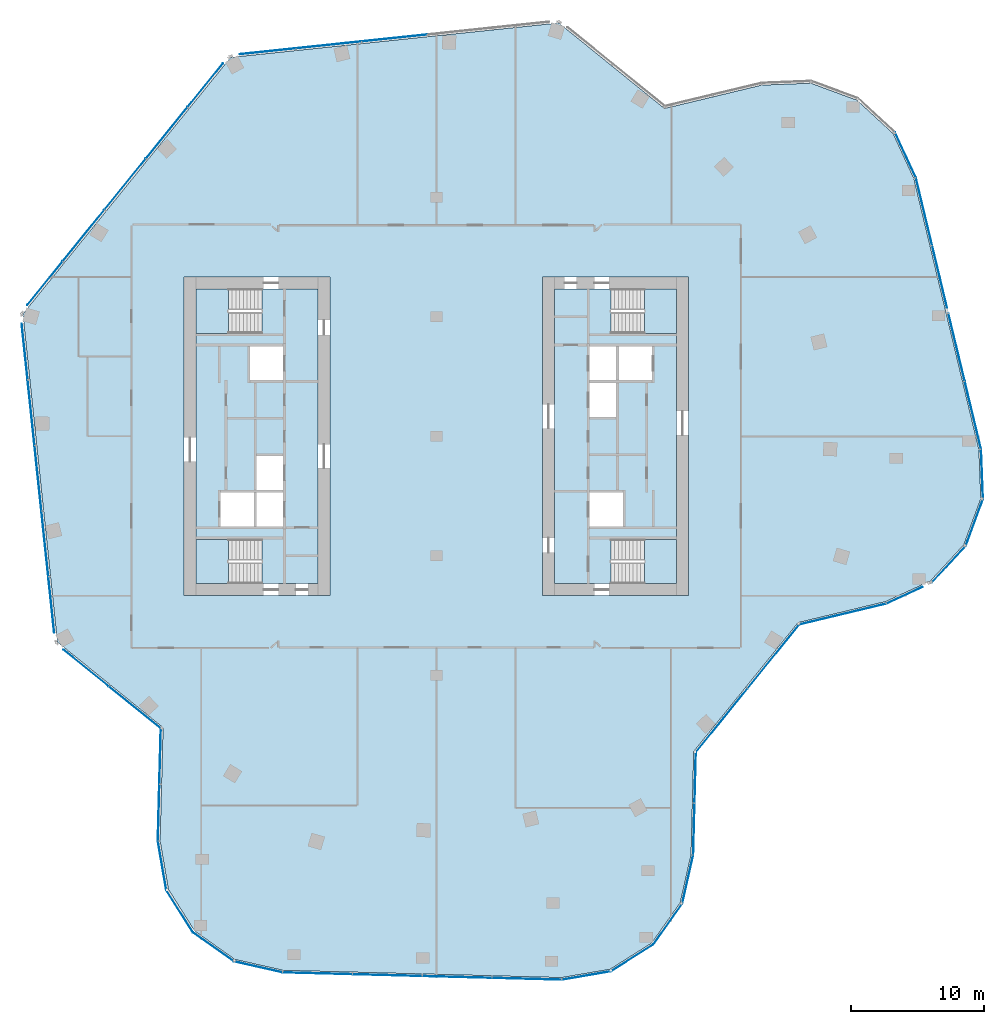
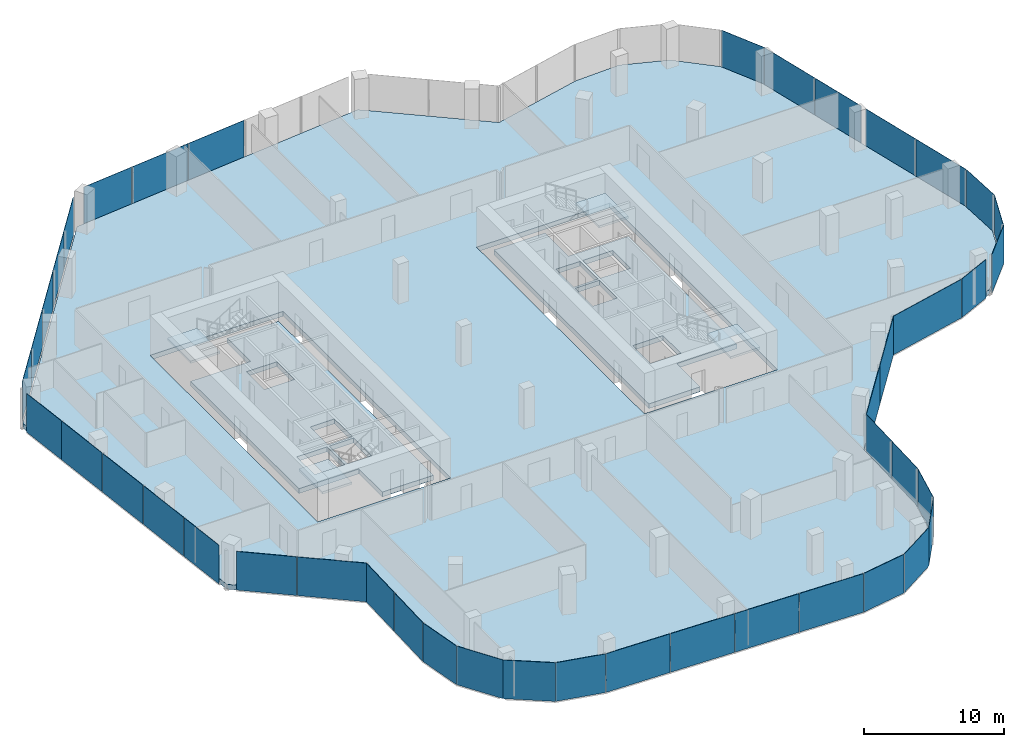
# One storey, part 16 of 23: 43 plates, 7 slabs, 27 elements without a shape of their own.
"""IFC4 building model written with IfcOpenShell, lengths in metres."""

import ifcopenshell
import ifcopenshell.guid

model = None  # the IFC model being written
_history = None  # IfcOwnerHistory: only IFC2X3 demands one
_inside = {}  # id of a spatial element -> (the spatial element, [elements in it])
_under = {}  # id of a project, library or spatial element -> (it, [spatial elements below it])
_declared = {}  # id of a project -> (the project, [libraries it declares])
_typed = {}  # id of a type object -> (the type object, [elements of that type])
_made_of = {}  # id of a material, layer set ... -> (it, [elements and type objects made of it])


def new_model(schema):
    """Start an empty IFC model of exactly this schema.

    Asked for "IFC4X3", IfcOpenShell would pick the latest addendum, in which some entities
    have other attributes; the version numbers below select the first issue.
    IFC2X3 requires an IfcOwnerHistory on every rooted entity: one is made here for all.
    """
    global model, _history
    if schema == "IFC4X3":
        model = ifcopenshell.file(schema_version=(4, 3, 0, 0))
    else:
        model = ifcopenshell.file(schema=schema)
    _inside.clear()
    _under.clear()
    _declared.clear()
    _typed.clear()
    _made_of.clear()
    _history = None
    if model.schema == "IFC2X3":
        org = make("IfcOrganization", Name="unknown")
        user = make(
            "IfcPersonAndOrganization",
            ThePerson=make("IfcPerson", FamilyName="unknown"),
            TheOrganization=org,
        )
        app = make(
            "IfcApplication",
            ApplicationDeveloper=org,
            Version="unknown",
            ApplicationFullName="unknown",
            ApplicationIdentifier="unknown",
        )
        _history = make(
            "IfcOwnerHistory",
            OwningUser=user,
            OwningApplication=app,
            ChangeAction="ADDED",
            CreationDate=0,
        )
    return model


def make(cls, **values):
    """One entity of the class cls with the attributes given. An attribute that is None is left unset."""
    return model.create_entity(
        cls, **{name: value for name, value in values.items() if value is not None}
    )


def rooted(cls, **values):
    """An entity with a GlobalId (a new one), such as an element, a storey or a relation."""
    return make(cls, GlobalId=ifcopenshell.guid.new(), OwnerHistory=_history, **values)


def si_unit(unit_type, name, prefix=None):
    """IfcSIUnit, for example si_unit("LENGTHUNIT", "METRE", prefix="MILLI")."""
    return make("IfcSIUnit", UnitType=unit_type, Prefix=prefix, Name=name)


def assignment(units):
    """IfcUnitAssignment: the units of a project."""
    return None if units is None else make("IfcUnitAssignment", Units=units)


def point(xyz):
    """IfcCartesianPoint."""
    return None if xyz is None else make("IfcCartesianPoint", Coordinates=xyz)


def direction(xyz):
    """IfcDirection."""
    return None if xyz is None else make("IfcDirection", DirectionRatios=xyz)


def frame(location, z_axis=None, x_axis=None):
    """IfcAxis2Placement3D, a coordinate frame: its origin and axes. An axis left out is left unset."""
    return make(
        "IfcAxis2Placement3D",
        Location=point(location),
        Axis=direction(z_axis),
        RefDirection=direction(x_axis),
    )


def frame_2d(location, x_axis=None):
    """IfcAxis2Placement2D, a coordinate frame in the plane: its origin and x axis."""
    return make(
        "IfcAxis2Placement2D", Location=point(location), RefDirection=direction(x_axis)
    )


def origin():
    """The frame at (0, 0, 0) with its axes left unset."""
    return frame((0.0, 0.0, 0.0))


def origin_2d():
    """The frame at (0, 0) in the plane with its x axis left unset."""
    return frame_2d((0.0, 0.0))


def place(relative_to, where):
    """IfcLocalPlacement: puts the frame where relative to a parent placement (None: the world)."""
    return make(
        "IfcLocalPlacement", PlacementRelTo=relative_to, RelativePlacement=where
    )


def context(
    kind, dimensions, precision=None, world=None, true_north=None, identifier=None
):
    """IfcGeometricRepresentationContext, for example the 3D "Model" context."""
    return make(
        "IfcGeometricRepresentationContext",
        ContextIdentifier=identifier,
        ContextType=kind,
        CoordinateSpaceDimension=dimensions,
        Precision=precision,
        WorldCoordinateSystem=world,
        TrueNorth=true_north,
    )


def subcontext(parent, identifier, kind, view, scale=None):
    """IfcGeometricRepresentationSubContext, for example "Body" below "Model"."""
    return make(
        "IfcGeometricRepresentationSubContext",
        ContextIdentifier=identifier,
        ContextType=kind,
        ParentContext=parent,
        TargetScale=scale,
        TargetView=view,
    )


def project(units=None, contexts=None):
    """IfcProject with its units and contexts."""
    return rooted(
        "IfcProject",
        Name="project",
        RepresentationContexts=contexts,
        UnitsInContext=assignment(units),
    )


def spatial(cls, under=None, at=None, **own):
    """A site, building, storey or space (cls), placed at a placement, below another one or the project."""
    s = rooted(cls, ObjectPlacement=at, **own)
    if under is not None:
        _under.setdefault(under.id(), (under, []))[1].append(s)
    return s


def polyline(points):
    """IfcPolyline through the points."""
    return make("IfcPolyline", Points=[point(p) for p in points])


def profile(cls, at=None, kind="AREA", **sizes):
    """A parametric profile (cls). Its sizes go by their IFC names, for example OverallWidth=200.0."""
    return make(cls, ProfileType=kind, Position=at, **sizes)


def rectangle(**sizes):
    """IfcRectangleProfileDef."""
    return profile("IfcRectangleProfileDef", **sizes)


def outline(outer, holes=None, kind="AREA"):
    """IfcArbitraryClosedProfileDef: a profile drawn as a closed curve; with holes, ...WithVoids."""
    if holes is None:
        return make("IfcArbitraryClosedProfileDef", ProfileType=kind, OuterCurve=outer)
    return make(
        "IfcArbitraryProfileDefWithVoids",
        ProfileType=kind,
        OuterCurve=outer,
        InnerCurves=holes,
    )


def extrude(swept, where, along, depth):
    """IfcExtrudedAreaSolid: the profile swept, set in the frame where, extruded along a direction by depth."""
    return make(
        "IfcExtrudedAreaSolid",
        SweptArea=swept,
        Position=where,
        ExtrudedDirection=direction(along),
        Depth=depth,
    )


def shape(context_of_items, identifier, shape_type, items):
    """IfcShapeRepresentation: the items that make up one representation, for example the "Body"."""
    return make(
        "IfcShapeRepresentation",
        ContextOfItems=context_of_items,
        RepresentationIdentifier=identifier,
        RepresentationType=shape_type,
        Items=items,
    )


def material(Name=None, Category=None):
    """IfcMaterial."""
    return make("IfcMaterial", Name=Name, Category=Category)


def layer(
    of_material, thickness, ventilated=None, Name=None, Category=None, Priority=None
):
    """IfcMaterialLayer: one layer of a wall or slab, of a material (None: an air gap)."""
    return make(
        "IfcMaterialLayer",
        Material=of_material,
        LayerThickness=thickness,
        IsVentilated=ventilated,
        Name=Name,
        Category=Category,
        Priority=Priority,
    )


def layer_set(layers, Name=None):
    """IfcMaterialLayerSet."""
    return make("IfcMaterialLayerSet", MaterialLayers=layers, LayerSetName=Name)


def made_of(thing, what):
    """Note that an element or type object is made of a material, layer set ...; save() writes the relation."""
    if what is not None:
        _made_of.setdefault(what.id(), (what, []))[1].append(thing)
    return thing


def type_object(cls, material=None, **own):
    """A type object (cls), such as IfcWallType, which elements share."""
    return made_of(rooted(cls, **own), material)


def element(
    cls,
    number,
    at=None,
    inside=None,
    cuts=None,
    type_object=None,
    material=None,
    context=None,
    identifier="Body",
    shape_type=None,
    held_by="IfcProductDefinitionShape",
    body=None,
    shapes=None,
    **own,
):
    """One element of the class cls, such as IfcWall. Its Tag is "e" and its number.

    at: its placement. inside: the storey or other place that contains it. cuts: it is an
    opening in that element (IfcRelVoidsElement). A single representation is given by context,
    identifier, shape_type and body (its items); several are given by shapes. held_by: the class
    of the entity that holds the representations. save() writes the other relations.
    """
    e = rooted(cls, Tag="e%d" % number, ObjectPlacement=at, **own)
    if body is not None:
        shapes = [shape(context, identifier, shape_type, body)]
    if shapes is not None:
        e.Representation = make(held_by, Representations=shapes)
    if inside is not None:
        _inside.setdefault(inside.id(), (inside, []))[1].append(e)
    if cuts is not None:
        rooted(
            "IfcRelVoidsElement", RelatingBuildingElement=cuts, RelatedOpeningElement=e
        )
    if type_object is not None:
        _typed.setdefault(type_object.id(), (type_object, []))[1].append(e)
    return made_of(e, material)


def aggregate(whole, parts):
    """IfcRelAggregates: a whole, such as a stair, and the parts it consists of."""
    return rooted("IfcRelAggregates", RelatingObject=whole, RelatedObjects=parts)


def save(model, path):
    """Write the relations noted so far, then the file.

    IfcRelAggregates (storeys below a building ...), IfcRelContainedInSpatialStructure (elements
    in a storey), IfcRelDefinesByType, IfcRelAssociatesMaterial and IfcRelDeclares: one each for
    every whole, place, type object, material and project.
    """
    for whole, parts in _under.values():
        aggregate(whole, parts)
    for where, things in _inside.values():
        rooted(
            "IfcRelContainedInSpatialStructure",
            RelatedElements=things,
            RelatingStructure=where,
        )
    for kind, things in _typed.values():
        rooted("IfcRelDefinesByType", RelatedObjects=things, RelatingType=kind)
    for what, things in _made_of.values():
        rooted("IfcRelAssociatesMaterial", RelatedObjects=things, RelatingMaterial=what)
    for by, libraries in _declared.values():
        rooted("IfcRelDeclares", RelatingContext=by, RelatedDefinitions=libraries)
    model.write(path)


model = new_model("IFC4")

# Units and contexts
model_context = context("Model", 3, precision=1e-05, world=origin(), true_north=direction((0.0, 1.0)))
body_context = subcontext(model_context, "Body", "Model", "MODEL_VIEW")
ifc_project = project(units=[si_unit("LENGTHUNIT", "METRE"), si_unit("AREAUNIT", "SQUARE_METRE"), si_unit("VOLUMEUNIT", "CUBIC_METRE"), si_unit("PLANEANGLEUNIT", "RADIAN"), si_unit("MASSUNIT", "GRAM", prefix="KILO")], contexts=[model_context])

# Site, building, storey
site_placement = place(None, origin())
site = spatial("IfcSite", under=ifc_project, at=site_placement, CompositionType="ELEMENT")
building_placement = place(site_placement, origin())
building = spatial("IfcBuilding", under=site, at=building_placement, Name="Orlundy Tower", CompositionType="ELEMENT")
storey_placement = place(building_placement, frame((0.0, 0.0, 221.0)))
storey = spatial("IfcBuildingStorey", under=building, at=storey_placement, Name="L58", CompositionType="ELEMENT", Elevation=221.0)

# Curtain wall, plates
ifc_material_1 = material(Name="Aluminium bronze anodised", Category="aluminium")
curtain_wall_type = type_object("IfcCurtainWallType", Name="CW1 wall", PredefinedType="NOTDEFINED", material=ifc_material_1)
curtain_wall_1_placement = place(storey_placement, origin())
curtain_wall_1 = element("IfcCurtainWall", 1, at=curtain_wall_1_placement, inside=storey, type_object=curtain_wall_type, Name="CW1 run 00", PredefinedType="NOTDEFINED")
ifc_material_2 = material(Name="Tinted glass", Category="glass")
ifc_layer_1 = layer(ifc_material_2, 0.031982421875)
ifc_layer_set_1 = layer_set([ifc_layer_1], Name="CW1 glass panel 32")
plate_type = type_object("IfcPlateType", Name="CW1 glass panel 32", PredefinedType="CURTAIN_PANEL", material=ifc_layer_set_1)
plate_1_placement = place(storey_placement, frame((-20.9130859375, -28.337158203125, -0.300048828125), z_axis=(0.0, 0.0, 1.0), x_axis=(0.026251208042, 0.999655377656, 0.0)))
plate_1 = element("IfcPlate", 2, at=plate_1_placement, type_object=plate_type, Name="CW1 panel", PredefinedType="CURTAIN_PANEL", context=body_context, shape_type="SweptSolid", body=[
    extrude(rectangle(XDim=4.232421875, YDim=0.031982421875, at=origin_2d()), origin(), (0.0, 0.0, 1.0), 3.3798828125),
])
plate_2_placement = place(storey_placement, frame((-20.8017578125, -24.092041015625, -0.300048828125), z_axis=(0.0, 0.0, 1.0), x_axis=(0.026251208042, 0.999655377656, 0.0)))
plate_2 = element("IfcPlate", 3, at=plate_2_placement, type_object=plate_type, Name="CW1 panel", PredefinedType="CURTAIN_PANEL", context=body_context, shape_type="SweptSolid", body=[
    extrude(rectangle(XDim=4.16064453125, YDim=0.031982421875, at=origin_2d()), origin(), (0.0, 0.0, 1.0), 3.3798828125),
])
aggregate(curtain_wall_1, [plate_1, plate_2])

curtain_wall_2_placement = place(storey_placement, origin())
curtain_wall_2 = element("IfcCurtainWall", 4, at=curtain_wall_2_placement, inside=storey, type_object=curtain_wall_type, Name="CW1 run 01", PredefinedType="NOTDEFINED")
plate_3_placement = place(storey_placement, frame((-22.69482421875, -20.435302734375, -0.300048828125), z_axis=(0.0, 0.0, 1.0), x_axis=(-0.77717662091, 0.629282527892, 0.0)))
plate_3 = element("IfcPlate", 5, at=plate_3_placement, type_object=plate_type, Name="CW1 panel", PredefinedType="CURTAIN_PANEL", context=body_context, shape_type="SweptSolid", body=[
    extrude(rectangle(XDim=5.0126953125, YDim=0.031982421875, at=origin_2d()), origin(), (0.0, 0.0, 1.0), 3.3798828125),
])
plate_4_placement = place(storey_placement, frame((-26.38232421875, -17.44970703125, -0.300048828125), z_axis=(0.0, 0.0, 1.0), x_axis=(-0.77717662091, 0.629282527892, 0.0)))
plate_4 = element("IfcPlate", 6, at=plate_4_placement, type_object=plate_type, Name="CW1 panel", PredefinedType="CURTAIN_PANEL", context=body_context, shape_type="SweptSolid", body=[
    extrude(rectangle(XDim=4.376708984375, YDim=0.031982421875, at=origin_2d()), origin(), (0.0, 0.0, 1.0), 3.3798828125),
])
aggregate(curtain_wall_2, [plate_3, plate_4])

curtain_wall_3_placement = place(storey_placement, origin())
curtain_wall_3 = element("IfcCurtainWall", 7, at=curtain_wall_3_placement, inside=storey, type_object=curtain_wall_type, Name="CW1 run 02", PredefinedType="NOTDEFINED")
plate_5_placement = place(storey_placement, frame((-28.99609375, -12.695556640625, -0.300048828125), z_axis=(0.0, 0.0, 1.0), x_axis=(-0.104538162943, 0.994520875843, 0.0)))
plate_5 = element("IfcPlate", 8, at=plate_5_placement, type_object=plate_type, Name="CW1 panel", PredefinedType="CURTAIN_PANEL", context=body_context, shape_type="SweptSolid", body=[
    extrude(rectangle(XDim=4.228759765625, YDim=0.031982421875, at=origin_2d()), origin(), (0.0, 0.0, 1.0), 3.3798828125),
])
plate_6_placement = place(storey_placement, frame((-29.4794921875, -8.096435546875, -0.300048828125), z_axis=(0.0, 0.0, 1.0), x_axis=(-0.104538162943, 0.994520875843, 0.0)))
plate_6 = element("IfcPlate", 9, at=plate_6_placement, type_object=plate_type, Name="CW1 panel", PredefinedType="CURTAIN_PANEL", context=body_context, shape_type="SweptSolid", body=[
    extrude(rectangle(XDim=4.92041015625, YDim=0.031982421875, at=origin_2d()), origin(), (0.0, 0.0, 1.0), 3.3798828125),
])
plate_7_placement = place(storey_placement, frame((-29.9990234375, -3.153076171875, -0.300048828125), z_axis=(0.0, 0.0, 1.0), x_axis=(-0.104538162943, 0.994520875843, 0.0)))
plate_7 = element("IfcPlate", 10, at=plate_7_placement, type_object=plate_type, Name="CW1 panel", PredefinedType="CURTAIN_PANEL", context=body_context, shape_type="SweptSolid", body=[
    extrude(rectangle(XDim=4.92041015625, YDim=0.031982421875, at=origin_2d()), origin(), (0.0, 0.0, 1.0), 3.3798828125),
])
plate_8_placement = place(storey_placement, frame((-30.518798828125, 1.7900390625, -0.300048828125), z_axis=(0.0, 0.0, 1.0), x_axis=(-0.104538162943, 0.994520875843, 0.0)))
plate_8 = element("IfcPlate", 11, at=plate_8_placement, type_object=plate_type, Name="CW1 panel", PredefinedType="CURTAIN_PANEL", context=body_context, shape_type="SweptSolid", body=[
    extrude(rectangle(XDim=4.92041015625, YDim=0.031982421875, at=origin_2d()), origin(), (0.0, 0.0, 1.0), 3.3798828125),
])
plate_9_placement = place(storey_placement, frame((-31.002197265625, 6.3896484375, -0.300048828125), z_axis=(0.0, 0.0, 1.0), x_axis=(-0.104538162943, 0.994520875843, 0.0)))
plate_9 = element("IfcPlate", 12, at=plate_9_placement, type_object=plate_type, Name="CW1 panel", PredefinedType="CURTAIN_PANEL", context=body_context, shape_type="SweptSolid", body=[
    extrude(rectangle(XDim=4.229248046875, YDim=0.031982421875, at=origin_2d()), origin(), (0.0, 0.0, 1.0), 3.3798828125),
])
aggregate(curtain_wall_3, [plate_5, plate_6, plate_7, plate_8, plate_9])

curtain_wall_4_placement = place(storey_placement, origin())
curtain_wall_4 = element("IfcCurtainWall", 13, at=curtain_wall_4_placement, inside=storey, type_object=curtain_wall_type, Name="CW1 run 03", PredefinedType="NOTDEFINED")
plate_10_placement = place(storey_placement, frame((-29.48046875, 11.525634765625, -0.300048828125), z_axis=(0.0, 0.0, 1.0), x_axis=(0.629320911043, 0.777145540374, 0.0)))
plate_10 = element("IfcPlate", 14, at=plate_10_placement, type_object=plate_type, Name="CW1 panel", PredefinedType="CURTAIN_PANEL", context=body_context, shape_type="SweptSolid", body=[
    extrude(rectangle(XDim=4.228271484375, YDim=0.031982421875, at=origin_2d()), origin(), (0.0, 0.0, 1.0), 3.3798828125),
])
plate_11_placement = place(storey_placement, frame((-26.570068359375, 15.11962890625, -0.300048828125), z_axis=(0.0, 0.0, 1.0), x_axis=(0.629320911043, 0.777145540374, 0.0)))
plate_11 = element("IfcPlate", 15, at=plate_11_placement, type_object=plate_type, Name="CW1 panel", PredefinedType="CURTAIN_PANEL", context=body_context, shape_type="SweptSolid", body=[
    extrude(rectangle(XDim=4.920654296875, YDim=0.031982421875, at=origin_2d()), origin(), (0.0, 0.0, 1.0), 3.3798828125),
])
plate_12_placement = place(storey_placement, frame((-23.44189453125, 18.982666015625, -0.300048828125), z_axis=(0.0, 0.0, 1.0), x_axis=(0.629320911043, 0.777145540374, 0.0)))
plate_12 = element("IfcPlate", 16, at=plate_12_placement, type_object=plate_type, Name="CW1 panel", PredefinedType="CURTAIN_PANEL", context=body_context, shape_type="SweptSolid", body=[
    extrude(rectangle(XDim=4.920654296875, YDim=0.031982421875, at=origin_2d()), origin(), (0.0, 0.0, 1.0), 3.3798828125),
])
plate_13_placement = place(storey_placement, frame((-20.313720703125, 22.845703125, -0.300048828125), z_axis=(0.0, 0.0, 1.0), x_axis=(0.629320911043, 0.777145540374, 0.0)))
plate_13 = element("IfcPlate", 17, at=plate_13_placement, type_object=plate_type, Name="CW1 panel", PredefinedType="CURTAIN_PANEL", context=body_context, shape_type="SweptSolid", body=[
    extrude(rectangle(XDim=4.920654296875, YDim=0.031982421875, at=origin_2d()), origin(), (0.0, 0.0, 1.0), 3.3798828125),
])
plate_14_placement = place(storey_placement, frame((-17.4033203125, 26.43994140625, -0.300048828125), z_axis=(0.0, 0.0, 1.0), x_axis=(0.629320911043, 0.777145540374, 0.0)))
plate_14 = element("IfcPlate", 18, at=plate_14_placement, type_object=plate_type, Name="CW1 panel", PredefinedType="CURTAIN_PANEL", context=body_context, shape_type="SweptSolid", body=[
    extrude(rectangle(XDim=4.22900390625, YDim=0.031982421875, at=origin_2d()), origin(), (0.0, 0.0, 1.0), 3.3798828125),
])
aggregate(curtain_wall_4, [plate_10, plate_11, plate_12, plate_13, plate_14])

curtain_wall_5_placement = place(storey_placement, origin())
curtain_wall_5 = element("IfcCurtainWall", 19, at=curtain_wall_5_placement, inside=storey, type_object=curtain_wall_type, Name="CW1 run 04", PredefinedType="NOTDEFINED")
plate_15_placement = place(storey_placement, frame((-12.695556640625, 28.99609375, -0.300048828125), z_axis=(0.0, 0.0, 1.0), x_axis=(0.994520875843, 0.104538162943, 0.0)))
plate_15 = element("IfcPlate", 20, at=plate_15_placement, type_object=plate_type, Name="CW1 panel", PredefinedType="CURTAIN_PANEL", context=body_context, shape_type="SweptSolid", body=[
    extrude(rectangle(XDim=4.228759765625, YDim=0.031982421875, at=origin_2d()), origin(), (0.0, 0.0, 1.0), 3.3798828125),
])
plate_16_placement = place(storey_placement, frame((-8.096435546875, 29.4794921875, -0.300048828125), z_axis=(0.0, 0.0, 1.0), x_axis=(0.994520875843, 0.104538162943, 0.0)))
plate_16 = element("IfcPlate", 21, at=plate_16_placement, type_object=plate_type, Name="CW1 panel", PredefinedType="CURTAIN_PANEL", context=body_context, shape_type="SweptSolid", body=[
    extrude(rectangle(XDim=4.92041015625, YDim=0.031982421875, at=origin_2d()), origin(), (0.0, 0.0, 1.0), 3.3798828125),
])
plate_17_placement = place(storey_placement, frame((-3.153076171875, 29.9990234375, -0.300048828125), z_axis=(0.0, 0.0, 1.0), x_axis=(0.994520875843, 0.104538162943, 0.0)))
plate_17 = element("IfcPlate", 22, at=plate_17_placement, type_object=plate_type, Name="CW1 panel", PredefinedType="CURTAIN_PANEL", context=body_context, shape_type="SweptSolid", body=[
    extrude(rectangle(XDim=4.92041015625, YDim=0.031982421875, at=origin_2d()), origin(), (0.0, 0.0, 1.0), 3.3798828125),
])
aggregate(curtain_wall_5, [plate_15, plate_16, plate_17])

# Curtain wall, plate
curtain_wall_6_placement = place(storey_placement, origin())
curtain_wall_6 = element("IfcCurtainWall", 23, at=curtain_wall_6_placement, inside=storey, type_object=curtain_wall_type, Name="CW1 run 010", PredefinedType="NOTDEFINED")
plate_18_placement = place(storey_placement, frame((35.32177734375, 21.201416015625, -0.300048828125), z_axis=(0.0, 0.0, 1.0), x_axis=(0.418493445182, -0.908219817192, 0.0)))
plate_18 = element("IfcPlate", 24, at=plate_18_placement, type_object=plate_type, Name="CW1 panel", PredefinedType="CURTAIN_PANEL", context=body_context, shape_type="SweptSolid", body=[
    extrude(rectangle(XDim=3.729736328125, YDim=0.031982421875, at=origin_2d()), origin(), (0.0, 0.0, 1.0), 3.3798828125),
])
aggregate(curtain_wall_6, [plate_18])

# Curtain wall, plates
curtain_wall_7_placement = place(storey_placement, origin())
curtain_wall_7 = element("IfcCurtainWall", 25, at=curtain_wall_7_placement, inside=storey, type_object=curtain_wall_type, Name="CW1 run 011", PredefinedType="NOTDEFINED")
plate_19_placement = place(storey_placement, frame((36.7275390625, 16.924560546875, -0.300048828125), z_axis=(0.0, 0.0, 1.0), x_axis=(0.233472005748, -0.972363523859, 0.0)))
plate_19 = element("IfcPlate", 26, at=plate_19_placement, type_object=plate_type, Name="CW1 panel", PredefinedType="CURTAIN_PANEL", context=body_context, shape_type="SweptSolid", body=[
    extrude(rectangle(XDim=5.216064453125, YDim=0.031982421875, at=origin_2d()), origin(), (0.0, 0.0, 1.0), 3.3798828125),
])
plate_20_placement = place(storey_placement, frame((37.907470703125, 12.010498046875, -0.300048828125), z_axis=(0.0, 0.0, 1.0), x_axis=(0.233472005748, -0.972363523859, 0.0)))
plate_20 = element("IfcPlate", 27, at=plate_20_placement, type_object=plate_type, Name="CW1 panel", PredefinedType="CURTAIN_PANEL", context=body_context, shape_type="SweptSolid", body=[
    extrude(rectangle(XDim=4.79150390625, YDim=0.031982421875, at=origin_2d()), origin(), (0.0, 0.0, 1.0), 3.3798828125),
])
plate_21_placement = place(storey_placement, frame((39.180908203125, 6.706787109375, -0.300048828125), z_axis=(0.0, 0.0, 1.0), x_axis=(0.233472005748, -0.972363523859, 0.0)))
plate_21 = element("IfcPlate", 28, at=plate_21_placement, type_object=plate_type, Name="CW1 panel", PredefinedType="CURTAIN_PANEL", context=body_context, shape_type="SweptSolid", body=[
    extrude(rectangle(XDim=5.2001953125, YDim=0.031982421875, at=origin_2d()), origin(), (0.0, 0.0, 1.0), 3.3798828125),
])
plate_22_placement = place(storey_placement, frame((40.408447265625, 1.593994140625, -0.300048828125), z_axis=(0.0, 0.0, 1.0), x_axis=(0.233472005748, -0.972363523859, 0.0)))
plate_22 = element("IfcPlate", 29, at=plate_22_placement, type_object=plate_type, Name="CW1 panel", PredefinedType="CURTAIN_PANEL", context=body_context, shape_type="SweptSolid", body=[
    extrude(rectangle(XDim=5.216064453125, YDim=0.031982421875, at=origin_2d()), origin(), (0.0, 0.0, 1.0), 3.3798828125),
])
aggregate(curtain_wall_7, [plate_19, plate_20, plate_21, plate_22])

# Curtain wall, plate
curtain_wall_8_placement = place(storey_placement, origin())
curtain_wall_8 = element("IfcCurtainWall", 30, at=curtain_wall_8_placement, inside=storey, type_object=curtain_wall_type, Name="CW1 run 012", PredefinedType="NOTDEFINED")
plate_23_placement = place(storey_placement, frame((41.09716796875, -2.85546875, -0.300048828125), z_axis=(0.0, 0.0, 1.0), x_axis=(0.039116906831, -0.999234640913, 0.0)))
plate_23 = element("IfcPlate", 31, at=plate_23_placement, type_object=plate_type, Name="CW1 panel", PredefinedType="CURTAIN_PANEL", context=body_context, shape_type="SweptSolid", body=[
    extrude(rectangle(XDim=3.73046875, YDim=0.031982421875, at=origin_2d()), origin(), (0.0, 0.0, 1.0), 3.3798828125),
])
aggregate(curtain_wall_8, [plate_23])

curtain_wall_9_placement = place(storey_placement, origin())
curtain_wall_9 = element("IfcCurtainWall", 32, at=curtain_wall_9_placement, inside=storey, type_object=curtain_wall_type, Name="CW1 run 013", PredefinedType="NOTDEFINED")
plate_24_placement = place(storey_placement, frame((40.517333984375, -6.48828125, -0.300048828125), z_axis=(0.0, 0.0, 1.0), x_axis=(-0.346180462863, -0.938167941859, 0.0)))
plate_24 = element("IfcPlate", 33, at=plate_24_placement, type_object=plate_type, Name="CW1 panel", PredefinedType="CURTAIN_PANEL", context=body_context, shape_type="SweptSolid", body=[
    extrude(rectangle(XDim=3.771484375, YDim=0.031982421875, at=origin_2d()), origin(), (0.0, 0.0, 1.0), 3.3798828125),
])
aggregate(curtain_wall_9, [plate_24])

curtain_wall_10_placement = place(storey_placement, origin())
curtain_wall_10 = element("IfcCurtainWall", 34, at=curtain_wall_10_placement, inside=storey, type_object=curtain_wall_type, Name="CW1 run 014", PredefinedType="NOTDEFINED")
plate_25_placement = place(storey_placement, frame((38.58447265625, -9.642333984375, -0.300048828125), z_axis=(0.0, 0.0, 1.0), x_axis=(-0.678772971258, -0.734348182738, 0.0)))
plate_25 = element("IfcPlate", 35, at=plate_25_placement, type_object=plate_type, Name="CW1 panel", PredefinedType="CURTAIN_PANEL", context=body_context, shape_type="SweptSolid", body=[
    extrude(rectangle(XDim=3.77197265625, YDim=0.031982421875, at=origin_2d()), origin(), (0.0, 0.0, 1.0), 3.3798828125),
])
aggregate(curtain_wall_10, [plate_25])

curtain_wall_11_placement = place(storey_placement, origin())
curtain_wall_11 = element("IfcCurtainWall", 36, at=curtain_wall_11_placement, inside=storey, type_object=curtain_wall_type, Name="CW1 run 015", PredefinedType="NOTDEFINED")
plate_26_placement = place(storey_placement, frame((35.26708984375, -11.966552734375, -0.300048828125), z_axis=(0.0, 0.0, 1.0), x_axis=(-0.908117246595, -0.418715973467, 0.0)))
plate_26 = element("IfcPlate", 37, at=plate_26_placement, type_object=plate_type, Name="CW1 panel", PredefinedType="CURTAIN_PANEL", context=body_context, shape_type="SweptSolid", body=[
    extrude(rectangle(XDim=2.973876953125, YDim=0.031982421875, at=origin_2d()), origin(), (0.0, 0.0, 1.0), 3.3798828125),
])
aggregate(curtain_wall_11, [plate_26])

curtain_wall_12_placement = place(storey_placement, origin())
curtain_wall_12 = element("IfcCurtainWall", 38, at=curtain_wall_12_placement, inside=storey, type_object=curtain_wall_type, Name="CW1 run 016", PredefinedType="NOTDEFINED")
plate_27_placement = place(storey_placement, frame((30.6025390625, -13.39013671875, -0.300048828125), z_axis=(0.0, 0.0, 1.0), x_axis=(-0.972363214149, -0.233473295624, 0.0)))
plate_27 = element("IfcPlate", 39, at=plate_27_placement, type_object=plate_type, Name="CW1 panel", PredefinedType="CURTAIN_PANEL", context=body_context, shape_type="SweptSolid", body=[
    extrude(rectangle(XDim=6.719970703125, YDim=0.031982421875, at=origin_2d()), origin(), (0.0, 0.0, 1.0), 3.3798828125),
])
aggregate(curtain_wall_12, [plate_27])

# Curtain wall, plates
curtain_wall_13_placement = place(storey_placement, origin())
curtain_wall_13 = element("IfcCurtainWall", 40, at=curtain_wall_13_placement, inside=storey, type_object=curtain_wall_type, Name="CW1 run 017", PredefinedType="NOTDEFINED")
plate_28_placement = place(storey_placement, frame((25.396240234375, -16.56884765625, -0.300048828125), z_axis=(0.0, 0.0, 1.0), x_axis=(-0.629352582823, -0.777119891969, 0.0)))
plate_28 = element("IfcPlate", 41, at=plate_28_placement, type_object=plate_type, Name="CW1 panel", PredefinedType="CURTAIN_PANEL", context=body_context, shape_type="SweptSolid", body=[
    extrude(rectangle(XDim=6.162353515625, YDim=0.031982421875, at=origin_2d()), origin(), (0.0, 0.0, 1.0), 3.3798828125),
])
plate_29_placement = place(storey_placement, frame((21.486572265625, -21.396484375, -0.300048828125), z_axis=(0.0, 0.0, 1.0), x_axis=(-0.629352582823, -0.777119891969, 0.0)))
plate_29 = element("IfcPlate", 42, at=plate_29_placement, type_object=plate_type, Name="CW1 panel", PredefinedType="CURTAIN_PANEL", context=body_context, shape_type="SweptSolid", body=[
    extrude(rectangle(XDim=6.162353515625, YDim=0.031982421875, at=origin_2d()), origin(), (0.0, 0.0, 1.0), 3.3798828125),
])
aggregate(curtain_wall_13, [plate_28, plate_29])

curtain_wall_14_placement = place(storey_placement, origin())
curtain_wall_14 = element("IfcCurtainWall", 43, at=curtain_wall_14_placement, inside=storey, type_object=curtain_wall_type, Name="CW1 run 018", PredefinedType="NOTDEFINED")
plate_30_placement = place(storey_placement, frame((19.497802734375, -25.696044921875, -0.300048828125), z_axis=(0.0, 0.0, 1.0), x_axis=(-0.026076968311, -0.999659938041, 0.0)))
plate_30 = element("IfcPlate", 44, at=plate_30_placement, type_object=plate_type, Name="CW1 panel", PredefinedType="CURTAIN_PANEL", context=body_context, shape_type="SweptSolid", body=[
    extrude(rectangle(XDim=3.8115234375, YDim=0.031982421875, at=origin_2d()), origin(), (0.0, 0.0, 1.0), 3.3798828125),
])
plate_31_placement = place(storey_placement, frame((19.396484375, -29.579833984375, -0.300048828125), z_axis=(0.0, 0.0, 1.0), x_axis=(-0.026076968311, -0.999659938041, 0.0)))
plate_31 = element("IfcPlate", 45, at=plate_31_placement, type_object=plate_type, Name="CW1 panel", PredefinedType="CURTAIN_PANEL", context=body_context, shape_type="SweptSolid", body=[
    extrude(rectangle(XDim=3.8583984375, YDim=0.031982421875, at=origin_2d()), origin(), (0.0, 0.0, 1.0), 3.3798828125),
])
aggregate(curtain_wall_14, [plate_30, plate_31])

# Curtain wall, plate
curtain_wall_15_placement = place(storey_placement, origin())
curtain_wall_15 = element("IfcCurtainWall", 46, at=curtain_wall_15_placement, inside=storey, type_object=curtain_wall_type, Name="CW1 run 019", PredefinedType="NOTDEFINED")
plate_32_placement = place(storey_placement, frame((18.928466796875, -33.376953125, -0.300048828125), z_axis=(0.0, 0.0, 1.0), x_axis=(-0.220699748267, -0.975341797072, 0.0)))
plate_32 = element("IfcPlate", 47, at=plate_32_placement, type_object=plate_type, Name="CW1 panel", PredefinedType="CURTAIN_PANEL", context=body_context, shape_type="SweptSolid", body=[
    extrude(rectangle(XDim=3.72998046875, YDim=0.031982421875, at=origin_2d()), origin(), (0.0, 0.0, 1.0), 3.3798828125),
])
aggregate(curtain_wall_15, [plate_32])

curtain_wall_16_placement = place(storey_placement, origin())
curtain_wall_16 = element("IfcCurtainWall", 48, at=curtain_wall_16_placement, inside=storey, type_object=curtain_wall_type, Name="CW1 run 020", PredefinedType="NOTDEFINED")
plate_33_placement = place(storey_placement, frame((17.427978515625, -36.736083984375, -0.300048828125), z_axis=(0.0, 0.0, 1.0), x_axis=(-0.577276133281, -0.816548997883, 0.0)))
plate_33 = element("IfcPlate", 49, at=plate_33_placement, type_object=plate_type, Name="CW1 panel", PredefinedType="CURTAIN_PANEL", context=body_context, shape_type="SweptSolid", body=[
    extrude(rectangle(XDim=3.772216796875, YDim=0.031982421875, at=origin_2d()), origin(), (0.0, 0.0, 1.0), 3.3798828125),
])
aggregate(curtain_wall_16, [plate_33])

curtain_wall_17_placement = place(storey_placement, origin())
curtain_wall_17 = element("IfcCurtainWall", 50, at=curtain_wall_17_placement, inside=storey, type_object=curtain_wall_type, Name="CW1 run 021", PredefinedType="NOTDEFINED")
plate_34_placement = place(storey_placement, frame((14.743896484375, -39.28271484375, -0.300048828125), z_axis=(0.0, 0.0, 1.0), x_axis=(-0.845732410351, -0.533607243282, 0.0)))
plate_34 = element("IfcPlate", 51, at=plate_34_placement, type_object=plate_type, Name="CW1 panel", PredefinedType="CURTAIN_PANEL", context=body_context, shape_type="SweptSolid", body=[
    extrude(rectangle(XDim=3.77197265625, YDim=0.031982421875, at=origin_2d()), origin(), (0.0, 0.0, 1.0), 3.3798828125),
])
aggregate(curtain_wall_17, [plate_34])

curtain_wall_18_placement = place(storey_placement, origin())
curtain_wall_18 = element("IfcCurtainWall", 52, at=curtain_wall_18_placement, inside=storey, type_object=curtain_wall_type, Name="CW1 run 022", PredefinedType="NOTDEFINED")
plate_35_placement = place(storey_placement, frame((11.310791015625, -40.605224609375, -0.300048828125), z_axis=(0.0, 0.0, 1.0), x_axis=(-0.985542556373, -0.169428066085, 0.0)))
plate_35 = element("IfcPlate", 53, at=plate_35_placement, type_object=plate_type, Name="CW1 panel", PredefinedType="CURTAIN_PANEL", context=body_context, shape_type="SweptSolid", body=[
    extrude(rectangle(XDim=3.730224609375, YDim=0.031982421875, at=origin_2d()), origin(), (0.0, 0.0, 1.0), 3.3798828125),
])
aggregate(curtain_wall_18, [plate_35])

# Curtain wall, plates
curtain_wall_19_placement = place(storey_placement, origin())
curtain_wall_19 = element("IfcCurtainWall", 54, at=curtain_wall_19_placement, inside=storey, type_object=curtain_wall_type, Name="CW1 run 023", PredefinedType="NOTDEFINED")
plate_36_placement = place(storey_placement, frame((6.815673828125, -40.8564453125, -0.300048828125), z_axis=(0.0, 0.0, 1.0), x_axis=(-0.999656977295, 0.026190222342, 0.0)))
plate_36 = element("IfcPlate", 55, at=plate_36_placement, type_object=plate_type, Name="CW1 panel", PredefinedType="CURTAIN_PANEL", context=body_context, shape_type="SweptSolid", body=[
    extrude(rectangle(XDim=5.216064453125, YDim=0.031982421875, at=origin_2d()), origin(), (0.0, 0.0, 1.0), 3.3798828125),
])
plate_37_placement = place(storey_placement, frame((1.559326171875, -40.71875, -0.300048828125), z_axis=(0.0, 0.0, 1.0), x_axis=(-0.999656977295, 0.026190222342, 0.0)))
plate_37 = element("IfcPlate", 56, at=plate_37_placement, type_object=plate_type, Name="CW1 panel", PredefinedType="CURTAIN_PANEL", context=body_context, shape_type="SweptSolid", body=[
    extrude(rectangle(XDim=5.199951171875, YDim=0.031982421875, at=origin_2d()), origin(), (0.0, 0.0, 1.0), 3.3798828125),
])
plate_38_placement = place(storey_placement, frame((-3.68896484375, -40.581298828125, -0.300048828125), z_axis=(0.0, 0.0, 1.0), x_axis=(-0.999656977295, 0.026190222342, 0.0)))
plate_38 = element("IfcPlate", 57, at=plate_38_placement, type_object=plate_type, Name="CW1 panel", PredefinedType="CURTAIN_PANEL", context=body_context, shape_type="SweptSolid", body=[
    extrude(rectangle(XDim=5.199951171875, YDim=0.031982421875, at=origin_2d()), origin(), (0.0, 0.0, 1.0), 3.3798828125),
])
plate_39_placement = place(storey_placement, frame((-8.945068359375, -40.443603515625, -0.300048828125), z_axis=(0.0, 0.0, 1.0), x_axis=(-0.999656977295, 0.026190222342, 0.0)))
plate_39 = element("IfcPlate", 58, at=plate_39_placement, type_object=plate_type, Name="CW1 panel", PredefinedType="CURTAIN_PANEL", context=body_context, shape_type="SweptSolid", body=[
    extrude(rectangle(XDim=5.216064453125, YDim=0.031982421875, at=origin_2d()), origin(), (0.0, 0.0, 1.0), 3.3798828125),
])
aggregate(curtain_wall_19, [plate_36, plate_37, plate_38, plate_39])

# Curtain wall, plate
curtain_wall_20_placement = place(storey_placement, origin())
curtain_wall_20 = element("IfcCurtainWall", 59, at=curtain_wall_20_placement, inside=storey, type_object=curtain_wall_type, Name="CW1 run 024", PredefinedType="NOTDEFINED")
plate_40_placement = place(storey_placement, frame((-13.4208984375, -39.957275390625, -0.300048828125), z_axis=(0.0, 0.0, 1.0), x_axis=(-0.975341797072, 0.220699748267, 0.0)))
plate_40 = element("IfcPlate", 60, at=plate_40_placement, type_object=plate_type, Name="CW1 panel", PredefinedType="CURTAIN_PANEL", context=body_context, shape_type="SweptSolid", body=[
    extrude(rectangle(XDim=3.72998046875, YDim=0.031982421875, at=origin_2d()), origin(), (0.0, 0.0, 1.0), 3.3798828125),
])
aggregate(curtain_wall_20, [plate_40])

curtain_wall_21_placement = place(storey_placement, origin())
curtain_wall_21 = element("IfcCurtainWall", 61, at=curtain_wall_21_placement, inside=storey, type_object=curtain_wall_type, Name="CW1 run 025", PredefinedType="NOTDEFINED")
plate_41_placement = place(storey_placement, frame((-16.780029296875, -38.45751953125, -0.300048828125), z_axis=(0.0, 0.0, 1.0), x_axis=(-0.816676153518, 0.577096231381, 0.0)))
plate_41 = element("IfcPlate", 62, at=plate_41_placement, type_object=plate_type, Name="CW1 panel", PredefinedType="CURTAIN_PANEL", context=body_context, shape_type="SweptSolid", body=[
    extrude(rectangle(XDim=3.771728515625, YDim=0.031982421875, at=origin_2d()), origin(), (0.0, 0.0, 1.0), 3.3798828125),
])
aggregate(curtain_wall_21, [plate_41])

curtain_wall_22_placement = place(storey_placement, origin())
curtain_wall_22 = element("IfcCurtainWall", 63, at=curtain_wall_22_placement, inside=storey, type_object=curtain_wall_type, Name="CW1 run 026", PredefinedType="NOTDEFINED")
plate_42_placement = place(storey_placement, frame((-19.32666015625, -35.77392578125, -0.300048828125), z_axis=(0.0, 0.0, 1.0), x_axis=(-0.533607243282, 0.845732410351, 0.0)))
plate_42 = element("IfcPlate", 64, at=plate_42_placement, type_object=plate_type, Name="CW1 panel", PredefinedType="CURTAIN_PANEL", context=body_context, shape_type="SweptSolid", body=[
    extrude(rectangle(XDim=3.77197265625, YDim=0.031982421875, at=origin_2d()), origin(), (0.0, 0.0, 1.0), 3.3798828125),
])
aggregate(curtain_wall_22, [plate_42])

curtain_wall_23_placement = place(storey_placement, origin())
curtain_wall_23 = element("IfcCurtainWall", 65, at=curtain_wall_23_placement, inside=storey, type_object=curtain_wall_type, Name="CW1 run 027", PredefinedType="NOTDEFINED")
plate_43_placement = place(storey_placement, frame((-20.649169921875, -32.3408203125, -0.300048828125), z_axis=(0.0, 0.0, 1.0), x_axis=(-0.169428066085, 0.985542556373, 0.0)))
plate_43 = element("IfcPlate", 66, at=plate_43_placement, type_object=plate_type, Name="CW1 panel", PredefinedType="CURTAIN_PANEL", context=body_context, shape_type="SweptSolid", body=[
    extrude(rectangle(XDim=3.730224609375, YDim=0.031982421875, at=origin_2d()), origin(), (0.0, 0.0, 1.0), 3.3798828125),
])
aggregate(curtain_wall_23, [plate_43])

# Slabs
ifc_material_3 = material(Name="Concrete C50/60", Category="concrete")
ifc_layer_2 = layer(ifc_material_3, 0.419921875)
ifc_layer_set_2 = layer_set([ifc_layer_2], Name="Core Floor Slab 420")
slab_type_1 = type_object("IfcSlabType", Name="Core Floor Slab 420", PredefinedType="FLOOR", material=ifc_layer_set_2)
slab_1_placement = place(storey_placement, frame((0.0, 0.0, -0.419921875)))
element("IfcSlab", 67, at=slab_1_placement, inside=storey, type_object=slab_type_1, Name="Core floor W45", PredefinedType="FLOOR", context=body_context, shape_type="SweptSolid", body=[
    extrude(outline(polyline([(-18.10009765625, 7.75), (-13.14501953125, 7.75), (-13.14501953125, 11.10009765625), (-8.89990234375, 11.10009765625), (-8.89990234375, -11.10009765625), (-13.14501953125, -11.10009765625), (-13.14501953125, -7.75), (-18.10009765625, -7.75), (-18.10009765625, 7.75)]), holes=[polyline([(-13.5400390625, -4.22509765625), (-13.5400390625, -6.77490234375), (-11.5400390625, -6.77490234375), (-11.5400390625, -4.22509765625), (-13.5400390625, -4.22509765625)]), polyline([(-13.739990234375, -4.22509765625), (-16.239990234375, -4.22509765625), (-16.239990234375, -6.77490234375), (-13.739990234375, -6.77490234375), (-13.739990234375, -4.22509765625)]), polyline([(-11.5400390625, -4.02490234375), (-11.5400390625, -1.47509765625), (-13.5400390625, -1.47509765625), (-13.5400390625, -4.02490234375), (-11.5400390625, -4.02490234375)]), polyline([(-14.0400390625, 4.22509765625), (-11.5400390625, 4.22509765625), (-11.5400390625, 6.77490234375), (-14.0400390625, 6.77490234375), (-14.0400390625, 4.22509765625)])]), origin(), (0.0, 0.0, 1.0), 0.419921875),
])
slab_2_placement = place(storey_placement, frame((0.0, 0.0, -0.419921875)))
element("IfcSlab", 68, at=slab_2_placement, inside=storey, type_object=slab_type_1, Name="Core floor E45", PredefinedType="FLOOR", context=body_context, shape_type="SweptSolid", body=[
    extrude(outline(polyline([(18.10009765625, -7.75), (13.14501953125, -7.75), (13.14501953125, -11.10009765625), (8.89990234375, -11.10009765625), (8.89990234375, 11.10009765625), (13.14501953125, 11.10009765625), (13.14501953125, 7.75), (18.10009765625, 7.75), (18.10009765625, -7.75)]), holes=[polyline([(13.5400390625, 4.22509765625), (13.5400390625, 6.77490234375), (11.5400390625, 6.77490234375), (11.5400390625, 4.22509765625), (13.5400390625, 4.22509765625)]), polyline([(13.739990234375, 4.22509765625), (16.239990234375, 4.22509765625), (16.239990234375, 6.77490234375), (13.739990234375, 6.77490234375), (13.739990234375, 4.22509765625)]), polyline([(11.5400390625, 4.02490234375), (11.5400390625, 1.47509765625), (13.5400390625, 1.47509765625), (13.5400390625, 4.02490234375), (11.5400390625, 4.02490234375)]), polyline([(14.0400390625, -4.22509765625), (11.5400390625, -4.22509765625), (11.5400390625, -6.77490234375), (14.0400390625, -6.77490234375), (14.0400390625, -4.22509765625)])]), origin(), (0.0, 0.0, 1.0), 0.419921875),
])

# Stair, slab
ifc_material_4 = material(Name="Concrete C50/60", Category="concrete")
stair_type = type_object("IfcStairType", Name="Exit Stair 20 risers", PredefinedType="HALF_TURN_STAIR", material=ifc_material_4)
stair_1_placement = place(storey_placement, origin())
stair_1 = element("IfcStair", 69, at=stair_1_placement, inside=storey, type_object=stair_type, Name="L58 Exit Stair ST-W1", PredefinedType="HALF_TURN_STAIR")
ifc_material_5 = material(Name="Concrete C50/60", Category="concrete")
ifc_layer_3 = layer(ifc_material_5, 0.199951171875)
ifc_layer_set_3 = layer_set([ifc_layer_3], Name="Exit Stair Landing")
slab_type_2 = type_object("IfcSlabType", Name="Exit Stair Landing", PredefinedType="LANDING", material=ifc_layer_set_3)
slab_3_placement = place(storey_placement, frame((0.0, 0.0, 1.550048828125)))
slab_3 = element("IfcSlab", 70, at=slab_3_placement, type_object=slab_type_2, Name="ST-W1 landing 1", PredefinedType="LANDING", context=body_context, shape_type="SweptSolid", body=[
    extrude(outline(polyline([(-15.659912109375, 11.10009765625), (-18.10009765625, 11.10009765625), (-18.10009765625, 7.75), (-15.659912109375, 7.75), (-15.659912109375, 11.10009765625)])), origin(), (0.0, 0.0, 1.0), 0.199951171875),
])
aggregate(stair_1, [slab_3])

stair_2_placement = place(storey_placement, origin())
stair_2 = element("IfcStair", 71, at=stair_2_placement, inside=storey, type_object=stair_type, Name="L58 Exit Stair ST-W2", PredefinedType="HALF_TURN_STAIR")
slab_4_placement = place(storey_placement, frame((0.0, 0.0, 1.550048828125)))
slab_4 = element("IfcSlab", 72, at=slab_4_placement, type_object=slab_type_2, Name="ST-W2 landing 1", PredefinedType="LANDING", context=body_context, shape_type="SweptSolid", body=[
    extrude(outline(polyline([(-15.659912109375, -7.75), (-18.10009765625, -7.75), (-18.10009765625, -11.10009765625), (-15.659912109375, -11.10009765625), (-15.659912109375, -7.75)])), origin(), (0.0, 0.0, 1.0), 0.199951171875),
])
aggregate(stair_2, [slab_4])

stair_3_placement = place(storey_placement, origin())
stair_3 = element("IfcStair", 73, at=stair_3_placement, inside=storey, type_object=stair_type, Name="L58 Exit Stair ST-E1", PredefinedType="HALF_TURN_STAIR")
slab_5_placement = place(storey_placement, frame((0.0, 0.0, 1.550048828125)))
slab_5 = element("IfcSlab", 74, at=slab_5_placement, type_object=slab_type_2, Name="ST-E1 landing 1", PredefinedType="LANDING", context=body_context, shape_type="SweptSolid", body=[
    extrude(outline(polyline([(15.659912109375, -11.10009765625), (18.10009765625, -11.10009765625), (18.10009765625, -7.75), (15.659912109375, -7.75), (15.659912109375, -11.10009765625)])), origin(), (0.0, 0.0, 1.0), 0.199951171875),
])
aggregate(stair_3, [slab_5])

stair_4_placement = place(storey_placement, origin())
stair_4 = element("IfcStair", 75, at=stair_4_placement, inside=storey, type_object=stair_type, Name="L58 Exit Stair ST-E2", PredefinedType="HALF_TURN_STAIR")
slab_6_placement = place(storey_placement, frame((0.0, 0.0, 1.550048828125)))
slab_6 = element("IfcSlab", 76, at=slab_6_placement, type_object=slab_type_2, Name="ST-E2 landing 1", PredefinedType="LANDING", context=body_context, shape_type="SweptSolid", body=[
    extrude(outline(polyline([(15.659912109375, 7.75), (18.10009765625, 7.75), (18.10009765625, 11.10009765625), (15.659912109375, 11.10009765625), (15.659912109375, 7.75)])), origin(), (0.0, 0.0, 1.0), 0.199951171875),
])
aggregate(stair_4, [slab_6])

# Slab
ifc_material_6 = material(Name="Concrete C45/55", Category="concrete")
ifc_layer_4 = layer(ifc_material_6, 0.419921875)
ifc_layer_set_4 = layer_set([ifc_layer_4], Name="TRANSFER FLOOR SLAB 420 C45/55")
slab_type_3 = type_object("IfcSlabType", Name="TRANSFER FLOOR SLAB 420 C45/55", PredefinedType="FLOOR", material=ifc_layer_set_4)
slab_7_placement = place(storey_placement, frame((0.0, 0.0, -0.419921875)))
element("IfcSlab", 77, at=slab_7_placement, inside=storey, type_object=slab_type_3, Name="Floor slab L58", PredefinedType="FLOOR", context=body_context, shape_type="SweptSolid", body=[
    extrude(outline(polyline([(-20.5810546875, -21.93603515625), (-28.537109375, -15.493896484375), (-31.135009765625, 9.221923828125), (-15.493896484375, 28.537109375), (9.221923828125, 31.135009765625), (17.177978515625, 24.69189453125), (24.501953125, 26.450927734375), (28.2060546875, 26.595947265625), (31.68408203125, 25.31298828125), (34.406005859375, 22.797119140625), (35.95703125, 19.430908203125), (40.860107421875, -0.989013671875), (41.0048828125, -4.693115234375), (39.721923828125, -8.169921875), (37.2060546875, -10.89208984375), (33.840087890625, -12.444091796875), (27.242919921875, -14.028076171875), (19.385009765625, -23.73095703125), (19.181884765625, -31.512939453125), (18.364013671875, -35.1279296875), (16.22412109375, -38.155029296875), (13.089111328125, -40.133056640625), (9.43603515625, -40.760986328125), (-11.556884765625, -40.2109375), (-15.172119140625, -39.39306640625), (-18.198974609375, -37.25390625), (-20.177001953125, -34.118896484375), (-20.804931640625, -30.466064453125), (-20.5810546875, -21.93603515625)]), holes=[polyline([(-8.0, -12.0), (-8.0, 12.0), (-19.0, 12.0), (-19.0, -12.0), (-8.0, -12.0)]), polyline([(19.0, -12.0), (19.0, 12.0), (8.0, 12.0), (8.0, -12.0), (19.0, -12.0)])]), origin(), (0.0, 0.0, 1.0), 0.419921875),
])

save(model, "model.ifc")
